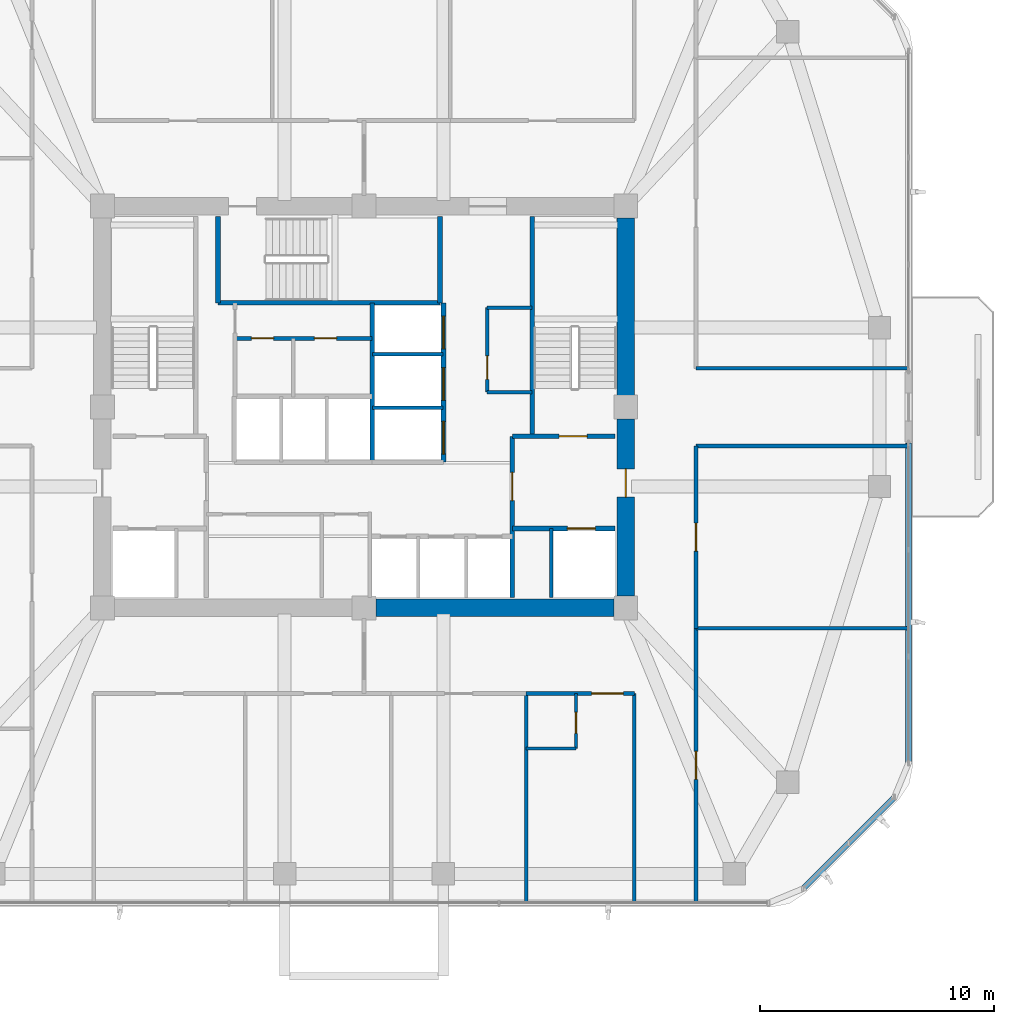
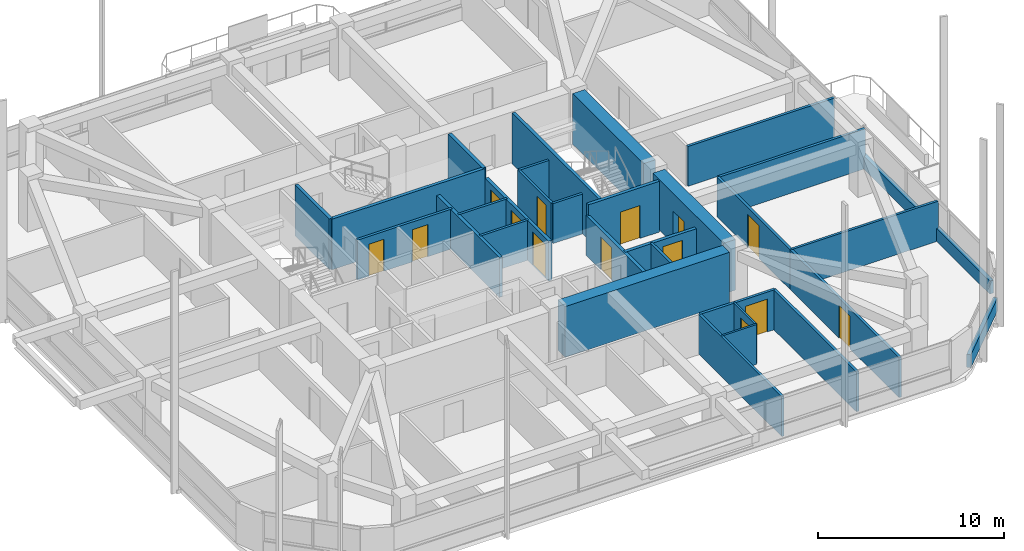
# One storey, part 9 of 14: 31 walls, 14 doors, 14 openings.
"""IFC4 building model written with IfcOpenShell, lengths in metres."""

from ifc_helpers import new_model, si_unit, derived_unit, direction, frame, frame_2d, origin, place, context, subcontext, project, spatial, rectangle, extrude, material, layer, layer_set, type_object, element, fill, save


model = new_model("IFC4")

# Units and contexts
model_context = context("Model", 3, precision=1e-05, world=origin(), true_north=direction((0.0, 1.0)))
body_context = subcontext(model_context, "Body", "Model", "MODEL_VIEW")
ifc_project = project(units=[si_unit("LENGTHUNIT", "METRE"), si_unit("AREAUNIT", "SQUARE_METRE"), si_unit("VOLUMEUNIT", "CUBIC_METRE"), si_unit("PLANEANGLEUNIT", "RADIAN"), si_unit("MASSUNIT", "GRAM", prefix="KILO"), derived_unit("THERMALTRANSMITTANCEUNIT", [(si_unit("POWERUNIT", "WATT"), 1), (si_unit("LENGTHUNIT", "METRE"), -2), (si_unit("THERMODYNAMICTEMPERATUREUNIT", "KELVIN"), -1)])], contexts=[model_context])

# Site, building, storey
site_placement = place(None, origin())
site = spatial("IfcSite", under=ifc_project, at=site_placement, CompositionType="ELEMENT")
building_placement = place(site_placement, origin())
building = spatial("IfcBuilding", under=site, at=building_placement, Name="Koralith Skygarden Medical Center", CompositionType="ELEMENT")
storey_placement = place(building_placement, frame((0.0, 0.0, 160.02001953125)))
storey = spatial("IfcBuildingStorey", under=building, at=storey_placement, Name="L41", CompositionType="ELEMENT", Elevation=160.02001953125)

# Wall, opening, door
ifc_material_1 = material(Name="Gypsum Board Partition")
ifc_layer_1 = layer(ifc_material_1, 0.14990234375)
ifc_layer_set_1 = layer_set([ifc_layer_1], Name="Gypsum Board Partition")
wall_type_1 = type_object("IfcWallType", Name="Clinical Acoustic Partition 150", PredefinedType="PARTITIONING", material=ifc_layer_set_1)
wall_1_placement = place(storey_placement, frame((42.27001953125, 26.5400390625, 0.0), z_axis=(0.0, 0.0, 1.0), x_axis=(0.0, 1.0, 0.0)))
wall_1 = element("IfcWall", 1, at=wall_1_placement, inside=storey, type_object=wall_type_1, Name="L41 Clinical Acoustic Partition 150 W-CORE-L41-ESUB-W", PredefinedType="PARTITIONING", context=body_context, shape_type="SweptSolid", body=[
    extrude(rectangle(XDim=3.619873046875, YDim=0.14990234375, at=frame_2d((1.81005859375, 0.0))), origin(), (0.0, 0.0, 1.0), 2.60986328125),
])
opening_1_placement = place(wall_1_placement, frame((0.550048828125, 0.0, 0.0)))
opening_1 = element("IfcOpeningElement", 2, at=opening_1_placement, cuts=wall_1, Name="Opening D-SUP", PredefinedType="OPENING", context=body_context, shape_type="SweptSolid", body=[
    extrude(rectangle(XDim=1.0, YDim=2.14990234375, at=frame_2d((0.5, 1.074951171875))), frame((0.0, 0.0849609375, 0.0), z_axis=(0.0, -1.0, 0.0), x_axis=(1.0, 0.0, 0.0)), (0.0, 0.0, 1.0), 0.169921875),
])
ifc_material_2 = material(Name="Aluminium 6063-T6", Category="aluminium")
door_type_1 = type_object("IfcDoorType", Name="Clinical Support Door D-SUP 1000", OperationType="NOTDEFINED", PredefinedType="DOOR", material=ifc_material_2)
door_1_placement = place(opening_1_placement, origin())
door_1 = element("IfcDoor", 3, at=door_1_placement, inside=storey, type_object=door_type_1, Name="L41 Core Equipment Store Door", OperationType="SINGLE_SWING_LEFT", OverallHeight=2.14990234375, OverallWidth=1.0, PredefinedType="DOOR", context=body_context, shape_type="SweptSolid", body=[
    extrude(rectangle(XDim=1.0, YDim=2.14990234375, at=frame_2d((0.5, 1.074951171875))), frame((0.0, 0.02490234375, 0.0), z_axis=(0.0, -1.0, 0.0), x_axis=(1.0, 0.0, 0.0)), (0.0, 0.0, 1.0), 0.050048828125),
])
fill(opening_1, door_1)

# Walls
for number, where, z_axis, x_axis, name in (
    (4, (42.27001953125, 26.5400390625, 0.0), (0.0, 0.0, 1.0), (1.0, 0.0, 0.0), "L41 Clinical Acoustic Partition 150 W-CORE-L41-ESUB-S"),
    (5, (42.27001953125, 30.159912109375, 0.0), (0.0, 0.0, 1.0), (1.0, 0.0, 0.0), "L41 Clinical Acoustic Partition 150 W-CORE-L41-ESUB-N"),
):
    element("IfcWall", number, at=place(storey_placement, frame(where, z_axis=z_axis, x_axis=x_axis)), inside=storey, type_object=wall_type_1, Name=name, PredefinedType="PARTITIONING", context=body_context, shape_type="SweptSolid", body=[
        extrude(rectangle(XDim=1.929931640625, YDim=0.14990234375, at=frame_2d((0.96484375, 0.0))), origin(), (0.0, 0.0, 1.0), 2.60986328125),
    ])
wall_2_placement = place(storey_placement, frame((43.93603515625, 13.639892578125, 0.0), z_axis=(0.0, 0.0, 1.0), x_axis=(0.0, -1.0, 0.0)))
element("IfcWall", 6, at=wall_2_placement, inside=storey, type_object=wall_type_1, Name="L41 Clinical Acoustic Partition 150 W-PART-L41-S-03", PredefinedType="PARTITIONING", context=body_context, shape_type="SweptSolid", body=[
    extrude(rectangle(XDim=8.93994140625, YDim=0.14990234375, at=frame_2d((4.469970703125, 0.0))), origin(), (0.0, 0.0, 1.0), 2.60986328125),
])
wall_3_placement = place(storey_placement, frame((51.2099609375, 16.424072265625, 0.0), z_axis=(0.0, 0.0, 1.0), x_axis=(1.0, 0.0, 0.0)))
element("IfcWall", 7, at=wall_3_placement, inside=storey, type_object=wall_type_1, Name="L41 Clinical Acoustic Partition 150 W-PART-L41-ES-01", PredefinedType="PARTITIONING", context=body_context, shape_type="SweptSolid", body=[
    extrude(rectangle(XDim=9.073974609375, YDim=0.14990234375, at=frame_2d((4.537109375, 0.0))), origin(), (0.0, 0.0, 1.0), 2.60986328125),
])
ifc_layer_2 = layer(ifc_material_1, 0.1650390625)
ifc_layer_set_2 = layer_set([ifc_layer_2], Name="Gypsum Board Partition")
wall_type_2 = type_object("IfcWallType", Name="Clinical Corridor Partition 165", PredefinedType="PARTITIONING", material=ifc_layer_set_2)
wall_4_placement = place(storey_placement, frame((48.570068359375, 4.699951171875, 0.0), z_axis=(0.0, 0.0, 1.0), x_axis=(0.0, 1.0, 0.0)))
element("IfcWall", 8, at=wall_4_placement, inside=storey, type_object=wall_type_2, Name="L41 Clinical Corridor Partition 165 W-HCOR-L41-SE", PredefinedType="PARTITIONING", context=body_context, shape_type="SweptSolid", body=[
    extrude(rectangle(XDim=8.93994140625, YDim=0.1650390625, at=frame_2d((4.469970703125, 0.0))), origin(), (0.0, 0.0, 1.0), 2.60986328125),
])
for number, where, z_axis, x_axis, name in (
    (9, (51.2099609375, 24.239990234375, 0.0), (0.0, 0.0, 1.0), (1.0, 0.0, 0.0), "L41 Clinical Corridor Partition 165 W-HCOR-L41-EWS-E"),
    (10, (51.2099609375, 27.56005859375, 0.0), (0.0, 0.0, 1.0), (1.0, 0.0, 0.0), "L41 Clinical Corridor Partition 165 W-HCOR-L41-EWN-E"),
):
    element("IfcWall", number, at=place(storey_placement, frame(where, z_axis=z_axis, x_axis=x_axis)), inside=storey, type_object=wall_type_2, Name=name, PredefinedType="PARTITIONING", context=body_context, shape_type="SweptSolid", body=[
        extrude(rectangle(XDim=9.073974609375, YDim=0.1650390625, at=frame_2d((4.537109375, 0.0))), origin(), (0.0, 0.0, 1.0), 2.60986328125),
    ])

# Wall, opening, door
wall_5_placement = place(storey_placement, frame((43.93603515625, 13.639892578125, 0.0), z_axis=(0.0, 0.0, 1.0), x_axis=(1.0, 0.0, 0.0)))
wall_5 = element("IfcWall", 11, at=wall_5_placement, inside=storey, type_object=wall_type_2, Name="L41 Clinical Corridor Partition 165 W-CORR-L41-S-04", PredefinedType="PARTITIONING", context=body_context, shape_type="SweptSolid", body=[
    extrude(rectangle(XDim=4.634033203125, YDim=0.1650390625, at=frame_2d((2.31689453125, 0.0))), origin(), (0.0, 0.0, 1.0), 2.60986328125),
])
opening_2_placement = place(wall_5_placement, frame((2.81005859375, 0.0, 0.0)))
opening_2 = element("IfcOpeningElement", 12, at=opening_2_placement, cuts=wall_5, Name="Opening D-BED", PredefinedType="OPENING", context=body_context, shape_type="SweptSolid", body=[
    extrude(rectangle(XDim=1.35009765625, YDim=2.14990234375, at=frame_2d((0.675048828125, 1.074951171875))), frame((0.0, 0.092529296875, 0.0), z_axis=(0.0, -1.0, 0.0), x_axis=(1.0, 0.0, 0.0)), (0.0, 0.0, 1.0), 0.18505859375),
])
door_type_2 = type_object("IfcDoorType", Name="Inpatient Bed Leaf Door D-BED 1350", OperationType="NOTDEFINED", PredefinedType="DOOR", material=ifc_material_2)
door_2_placement = place(opening_2_placement, frame((1.35009765625, 0.0, 0.0), z_axis=(0.0, 0.0, 1.0), x_axis=(-1.0, 0.0, 0.0)))
door_2 = element("IfcDoor", 13, at=door_2_placement, inside=storey, type_object=door_type_2, Name="L41 Inpatient Bedroom 07 Door", OperationType="SINGLE_SWING_RIGHT", OverallHeight=2.14990234375, OverallWidth=1.35009765625, PredefinedType="DOOR", context=body_context, shape_type="SweptSolid", body=[
    extrude(rectangle(XDim=1.35009765625, YDim=2.14990234375, at=frame_2d((0.675048828125, 1.074951171875))), frame((0.0, 0.02490234375, 0.0), z_axis=(0.0, -1.0, 0.0), x_axis=(1.0, 0.0, 0.0)), (0.0, 0.0, 1.0), 0.050048828125),
])
fill(opening_2, door_2)

wall_6_placement = place(storey_placement, frame((51.2099609375, 4.699951171875, 0.0), z_axis=(0.0, 0.0, 1.0), x_axis=(0.0, 1.0, 0.0)))
wall_6 = element("IfcWall", 14, at=wall_6_placement, inside=storey, type_object=wall_type_2, Name="L41 Clinical Corridor Partition 165 W-CORR-L41-ES-01", PredefinedType="PARTITIONING", context=body_context, shape_type="SweptSolid", body=[
    extrude(rectangle(XDim=11.72412109375, YDim=0.1650390625, at=frame_2d((5.862060546875, 0.0))), origin(), (0.0, 0.0, 1.0), 2.60986328125),
])
opening_3_placement = place(wall_6_placement, frame((5.261962890625, 0.0, 0.0)))
opening_3 = element("IfcOpeningElement", 15, at=opening_3_placement, cuts=wall_6, Name="Opening D-CLN", PredefinedType="OPENING", context=body_context, shape_type="SweptSolid", body=[
    extrude(rectangle(XDim=1.199951171875, YDim=2.14990234375, at=frame_2d((0.60009765625, 1.074951171875))), frame((0.0, 0.092529296875, 0.0), z_axis=(0.0, -1.0, 0.0), x_axis=(1.0, 0.0, 0.0)), (0.0, 0.0, 1.0), 0.18505859375),
])
door_type_3 = type_object("IfcDoorType", Name="Clinical Corridor Door D-CLN 1200", OperationType="NOTDEFINED", PredefinedType="DOOR", material=ifc_material_2)
door_3_placement = place(opening_3_placement, origin())
door_3 = element("IfcDoor", 16, at=door_3_placement, inside=storey, type_object=door_type_3, Name="L41 Perinatal Ultrasound Exam Room 12 Door", OperationType="SINGLE_SWING_LEFT", OverallHeight=2.14990234375, OverallWidth=1.199951171875, PredefinedType="DOOR", context=body_context, shape_type="SweptSolid", body=[
    extrude(rectangle(XDim=1.199951171875, YDim=2.14990234375, at=frame_2d((0.60009765625, 1.074951171875))), frame((0.0, 0.02490234375, 0.0), z_axis=(0.0, -1.0, 0.0), x_axis=(1.0, 0.0, 0.0)), (0.0, 0.0, 1.0), 0.050048828125),
])
fill(opening_3, door_3)

wall_7_placement = place(storey_placement, frame((51.2099609375, 16.424072265625, 0.0), z_axis=(0.0, 0.0, 1.0), x_axis=(0.0, 1.0, 0.0)))
wall_7 = element("IfcWall", 17, at=wall_7_placement, inside=storey, type_object=wall_type_2, Name="L41 Clinical Corridor Partition 165 W-CORR-L41-ES-02", PredefinedType="PARTITIONING", context=body_context, shape_type="SweptSolid", body=[
    extrude(rectangle(XDim=7.81591796875, YDim=0.1650390625, at=frame_2d((3.907958984375, 0.0))), origin(), (0.0, 0.0, 1.0), 2.60986328125),
])
opening_4_placement = place(wall_7_placement, frame((3.30810546875, 0.0, 0.0)))
opening_4 = element("IfcOpeningElement", 18, at=opening_4_placement, cuts=wall_7, Name="Opening D-CLN", PredefinedType="OPENING", context=body_context, shape_type="SweptSolid", body=[
    extrude(rectangle(XDim=1.199951171875, YDim=2.14990234375, at=frame_2d((0.60009765625, 1.074951171875))), frame((0.0, 0.092529296875, 0.0), z_axis=(0.0, -1.0, 0.0), x_axis=(1.0, 0.0, 0.0)), (0.0, 0.0, 1.0), 0.18505859375),
])
door_4_placement = place(opening_4_placement, origin())
door_4 = element("IfcDoor", 19, at=door_4_placement, inside=storey, type_object=door_type_3, Name="L41 Genetic Counseling Office 13 Door", OperationType="SINGLE_SWING_RIGHT", OverallHeight=2.14990234375, OverallWidth=1.199951171875, PredefinedType="DOOR", context=body_context, shape_type="SweptSolid", body=[
    extrude(rectangle(XDim=1.199951171875, YDim=2.14990234375, at=frame_2d((0.60009765625, 1.074951171875))), frame((0.0, 0.02490234375, 0.0), z_axis=(0.0, -1.0, 0.0), x_axis=(1.0, 0.0, 0.0)), (0.0, 0.0, 1.0), 0.050048828125),
])
fill(opening_4, door_4)

ifc_layer_3 = layer(ifc_material_1, 0.199951171875)
ifc_layer_set_3 = layer_set([ifc_layer_3], Name="Gypsum Board Partition")
wall_type_3 = type_object("IfcWallType", Name="Fire Shaft Wall 200", PredefinedType="SOLIDWALL", material=ifc_layer_set_3)
wall_8_placement = place(storey_placement, frame((43.35009765625, 20.699951171875, 0.0), z_axis=(0.0, 0.0, 1.0), x_axis=(1.0, 0.0, 0.0)))
wall_8 = element("IfcWall", 20, at=wall_8_placement, inside=storey, type_object=wall_type_3, Name="L41 Fire Shaft Wall 200 W-CORE-L41-FF2-N", PredefinedType="SOLIDWALL", context=body_context, shape_type="SweptSolid", body=[
    extrude(rectangle(XDim=4.39990234375, YDim=0.199951171875, at=frame_2d((2.199951171875, 0.0))), origin(), (0.0, 0.0, 1.0), 2.60986328125),
])
opening_5_placement = place(wall_8_placement, frame((2.35009765625, 0.0, 0.0)))
opening_5 = element("IfcOpeningElement", 21, at=opening_5_placement, cuts=wall_8, Name="Opening LD-FF", PredefinedType="OPENING", context=body_context, shape_type="SweptSolid", body=[
    extrude(rectangle(XDim=1.199951171875, YDim=2.14990234375, at=frame_2d((0.60009765625, 1.074951171875))), frame((0.0, 0.10986328125, 0.0), z_axis=(0.0, -1.0, 0.0), x_axis=(1.0, 0.0, 0.0)), (0.0, 0.0, 1.0), 0.219970703125),
])
ifc_material_3 = material(Name="Steel ASTM A500 Grade C", Category="steel")
door_type_4 = type_object("IfcDoorType", Name="Fire Lift Sliding Landing Door LD-FF 1200", OperationType="NOTDEFINED", PredefinedType="DOOR", material=ifc_material_3)
door_5_placement = place(opening_5_placement, origin())
door_5 = element("IfcDoor", 22, at=door_5_placement, inside=storey, type_object=door_type_4, Name="L41 Fire Service Elevator FF2 Landing Door", OperationType="SLIDING_TO_RIGHT", OverallHeight=2.14990234375, OverallWidth=1.199951171875, PredefinedType="DOOR", context=body_context, shape_type="SweptSolid", body=[
    extrude(rectangle(XDim=1.199951171875, YDim=2.14990234375, at=frame_2d((0.60009765625, 1.074951171875))), frame((0.0, 0.02490234375, 0.0), z_axis=(0.0, -1.0, 0.0), x_axis=(1.0, 0.0, 0.0)), (0.0, 0.0, 1.0), 0.050048828125),
])
fill(opening_5, door_5)

wall_9_placement = place(storey_placement, frame((43.35009765625, 17.75, 0.0), z_axis=(0.0, 0.0, 1.0), x_axis=(0.0, 1.0, 0.0)))
wall_9 = element("IfcWall", 23, at=wall_9_placement, inside=storey, type_object=wall_type_3, Name="L41 Fire Shaft Wall 200 W-CORE-L41-FSAEE-W", PredefinedType="SOLIDWALL", context=body_context, shape_type="SweptSolid", body=[
    extrude(rectangle(XDim=6.89990234375, YDim=0.199951171875, at=frame_2d((3.449951171875, 0.0))), origin(), (0.0, 0.0, 1.0), 2.60986328125),
])
opening_6_placement = place(wall_9_placement, frame((4.14990234375, 0.0, 0.0)))
opening_6 = element("IfcOpeningElement", 24, at=opening_6_placement, cuts=wall_9, Name="Opening D-ST60", PredefinedType="OPENING", context=body_context, shape_type="SweptSolid", body=[
    extrude(rectangle(XDim=1.199951171875, YDim=2.14990234375, at=frame_2d((0.60009765625, 1.074951171875))), frame((0.0, 0.10986328125, 0.0), z_axis=(0.0, -1.0, 0.0), x_axis=(1.0, 0.0, 0.0)), (0.0, 0.0, 1.0), 0.219970703125),
])
door_type_5 = type_object("IfcDoorType", Name="Smokeproof Stair Fire Door FD60S 1200", OperationType="NOTDEFINED", PredefinedType="DOOR", material=ifc_material_3)
door_6_placement = place(opening_6_placement, frame((1.199951171875, 0.0, 0.0), z_axis=(0.0, 0.0, 1.0), x_axis=(-1.0, 0.0, 0.0)))
door_6 = element("IfcDoor", 25, at=door_6_placement, inside=storey, type_object=door_type_5, Name="L41 East Firefighting Lobby Inner Fire Door", OperationType="SINGLE_SWING_RIGHT", OverallHeight=2.14990234375, OverallWidth=1.199951171875, PredefinedType="DOOR", context=body_context, shape_type="SweptSolid", body=[
    extrude(rectangle(XDim=1.199951171875, YDim=2.14990234375, at=frame_2d((0.60009765625, 1.074951171875))), frame((0.0, 0.02490234375, 0.0), z_axis=(0.0, -1.0, 0.0), x_axis=(1.0, 0.0, 0.0)), (0.0, 0.0, 1.0), 0.050048828125),
])
fill(opening_6, door_6)

# Wall
wall_10_placement = place(storey_placement, frame((37.35009765625, 23.5400390625, 0.0), z_axis=(0.0, 0.0, 1.0), x_axis=(0.0, 1.0, 0.0)))
element("IfcWall", 26, at=wall_10_placement, inside=storey, type_object=wall_type_3, Name="L41 Fire Shaft Wall 200 W-CORE-L41-SV-W", PredefinedType="SOLIDWALL", context=body_context, shape_type="SweptSolid", body=[
    extrude(rectangle(XDim=6.820068359375, YDim=0.199951171875, at=frame_2d((3.41015625, 0.0))), origin(), (0.0, 0.0, 1.0), 2.60986328125),
])

# Wall, openings, doors
wall_11_placement = place(storey_placement, frame((40.39990234375, 23.5400390625, 0.0), z_axis=(0.0, 0.0, 1.0), x_axis=(0.0, 1.0, 0.0)))
wall_11 = element("IfcWall", 27, at=wall_11_placement, inside=storey, type_object=wall_type_3, Name="L41 Fire Shaft Wall 200 W-CORE-L41-SV-E", PredefinedType="SOLIDWALL", context=body_context, shape_type="SweptSolid", body=[
    extrude(rectangle(XDim=6.820068359375, YDim=0.199951171875, at=frame_2d((3.41015625, 0.0))), origin(), (0.0, 0.0, 1.0), 2.60986328125),
])
opening_7_placement = place(wall_11_placement, frame((0.35009765625, 0.0, 0.0)))
opening_7 = element("IfcOpeningElement", 28, at=opening_7_placement, cuts=wall_11, Name="Opening LD-SV", PredefinedType="OPENING", context=body_context, shape_type="SweptSolid", body=[
    extrude(rectangle(XDim=1.39990234375, YDim=2.199951171875, at=frame_2d((0.699951171875, 1.10009765625))), frame((0.0, 0.10986328125, 0.0), z_axis=(0.0, -1.0, 0.0), x_axis=(1.0, 0.0, 0.0)), (0.0, 0.0, 1.0), 0.219970703125),
])
opening_8_placement = place(wall_11_placement, frame((2.64990234375, 0.0, 0.0)))
opening_8 = element("IfcOpeningElement", 29, at=opening_8_placement, cuts=wall_11, Name="Opening LD-SV", PredefinedType="OPENING", context=body_context, shape_type="SweptSolid", body=[
    extrude(rectangle(XDim=1.39990234375, YDim=2.199951171875, at=frame_2d((0.699951171875, 1.10009765625))), frame((0.0, 0.10986328125, 0.0), z_axis=(0.0, -1.0, 0.0), x_axis=(1.0, 0.0, 0.0)), (0.0, 0.0, 1.0), 0.219970703125),
])
opening_9_placement = place(wall_11_placement, frame((4.85009765625, 0.0, 0.0)))
opening_9 = element("IfcOpeningElement", 30, at=opening_9_placement, cuts=wall_11, Name="Opening LD-SV", PredefinedType="OPENING", context=body_context, shape_type="SweptSolid", body=[
    extrude(rectangle(XDim=1.39990234375, YDim=2.199951171875, at=frame_2d((0.699951171875, 1.10009765625))), frame((0.0, 0.10986328125, 0.0), z_axis=(0.0, -1.0, 0.0), x_axis=(1.0, 0.0, 0.0)), (0.0, 0.0, 1.0), 0.219970703125),
])
door_type_6 = type_object("IfcDoorType", Name="Bed Lift Sliding Landing Door LD-SV 1400", OperationType="NOTDEFINED", PredefinedType="DOOR", material=ifc_material_3)
door_7_placement = place(opening_7_placement, origin())
door_7 = element("IfcDoor", 31, at=door_7_placement, inside=storey, type_object=door_type_6, Name="L41 Bed Elevator BD1 Landing Door", OperationType="SLIDING_TO_LEFT", OverallHeight=2.199951171875, OverallWidth=1.39990234375, PredefinedType="DOOR", context=body_context, shape_type="SweptSolid", body=[
    extrude(rectangle(XDim=1.39990234375, YDim=2.199951171875, at=frame_2d((0.699951171875, 1.10009765625))), frame((0.0, 0.02490234375, 0.0), z_axis=(0.0, -1.0, 0.0), x_axis=(1.0, 0.0, 0.0)), (0.0, 0.0, 1.0), 0.050048828125),
])
fill(opening_7, door_7)
door_8_placement = place(opening_8_placement, origin())
door_8 = element("IfcDoor", 32, at=door_8_placement, inside=storey, type_object=door_type_6, Name="L41 Service Elevator BD2 Landing Door", OperationType="SLIDING_TO_LEFT", OverallHeight=2.199951171875, OverallWidth=1.39990234375, PredefinedType="DOOR", context=body_context, shape_type="SweptSolid", body=[
    extrude(rectangle(XDim=1.39990234375, YDim=2.199951171875, at=frame_2d((0.699951171875, 1.10009765625))), frame((0.0, 0.02490234375, 0.0), z_axis=(0.0, -1.0, 0.0), x_axis=(1.0, 0.0, 0.0)), (0.0, 0.0, 1.0), 0.050048828125),
])
fill(opening_8, door_8)
door_9_placement = place(opening_9_placement, origin())
door_9 = element("IfcDoor", 33, at=door_9_placement, inside=storey, type_object=door_type_6, Name="L41 Trauma Elevator TR1 Landing Door", OperationType="SLIDING_TO_RIGHT", OverallHeight=2.199951171875, OverallWidth=1.39990234375, PredefinedType="DOOR", context=body_context, shape_type="SweptSolid", body=[
    extrude(rectangle(XDim=1.39990234375, YDim=2.199951171875, at=frame_2d((0.699951171875, 1.10009765625))), frame((0.0, 0.02490234375, 0.0), z_axis=(0.0, -1.0, 0.0), x_axis=(1.0, 0.0, 0.0)), (0.0, 0.0, 1.0), 0.050048828125),
])
fill(opening_9, door_9)

# Walls
ifc_material_4 = material(Name="Warm Oolitic Limestone Cladding", Category="masonry")
ifc_layer_4 = layer(ifc_material_4, 0.239990234375)
ifc_layer_set_4 = layer_set([ifc_layer_4], Name="Warm Oolitic Limestone Cladding")
wall_type_4 = type_object("IfcWallType", Name="Limestone Spandrel Sill Backup Wall 240", PredefinedType="SOLIDWALL", material=ifc_layer_set_4)
wall_12_placement = place(storey_placement, frame((55.780029296875, 5.281005859375, 0.0), z_axis=(0.0, 0.0, 1.0), x_axis=(0.707084777957, 0.707128783731, 0.0)))
element("IfcWall", 34, at=wall_12_placement, inside=storey, type_object=wall_type_4, Name="L41 Sill Spandrel SE", PredefinedType="SOLIDWALL", context=body_context, shape_type="SweptSolid", body=[
    extrude(rectangle(XDim=5.5478515625, YDim=0.239990234375, at=frame_2d((2.77392578125, 0.0))), origin(), (0.0, 0.0, 1.0), 0.85009765625),
])
wall_13_placement = place(storey_placement, frame((60.303955078125, 10.655029296875, 0.0), z_axis=(0.0, 0.0, 1.0), x_axis=(0.0, 1.0, 0.0)))
element("IfcWall", 35, at=wall_13_placement, inside=storey, type_object=wall_type_4, Name="L41 Sill Spandrel E-L", PredefinedType="SOLIDWALL", context=body_context, shape_type="SweptSolid", body=[
    extrude(rectangle(XDim=13.705078125, YDim=0.239990234375, at=frame_2d((6.8525390625, 0.0))), origin(), (0.0, 0.0, 1.0), 0.85009765625),
])
ifc_material_5 = material(Name="Concrete C70/85", Category="concrete")
ifc_layer_5 = layer(ifc_material_5, 0.75)
ifc_layer_set_5 = layer_set([ifc_layer_5], Name="Concrete C70/85")
wall_type_5 = type_object("IfcWallType", Name="Mid Core Shear Wall 750", PredefinedType="SHEAR", material=ifc_layer_set_5)
wall_14_placement = place(storey_placement, frame((37.5048828125, 17.300048828125, 0.0), z_axis=(0.0, 0.0, 1.0), x_axis=(1.0, 0.0, 0.0)))
element("IfcWall", 36, at=wall_14_placement, inside=storey, type_object=wall_type_5, Name="L41 Core Shear Wall Segment 2", PredefinedType="SHEAR", context=body_context, shape_type="SweptSolid", body=[
    extrude(rectangle(XDim=10.190185546875, YDim=0.75, at=frame_2d((5.09521484375, 0.0))), origin(), (0.0, 0.0, 1.0), 3.320068359375),
])

# Wall, opening, door
wall_15_placement = place(storey_placement, frame((48.199951171875, 17.804931640625, 0.0), z_axis=(0.0, 0.0, 1.0), x_axis=(0.0, 1.0, 0.0)))
wall_15 = element("IfcWall", 37, at=wall_15_placement, inside=storey, type_object=wall_type_5, Name="L41 Core Shear Wall Segment 3", PredefinedType="SHEAR", context=body_context, shape_type="SweptSolid", body=[
    extrude(rectangle(XDim=7.590087890625, YDim=0.75, at=frame_2d((3.794921875, 0.0))), origin(), (0.0, 0.0, 1.0), 3.320068359375),
])
opening_10_placement = place(wall_15_placement, frame((4.2451171875, 0.0, 0.0)))
opening_10 = element("IfcOpeningElement", 38, at=opening_10_placement, cuts=wall_15, Name="Opening D-ST60", PredefinedType="OPENING", context=body_context, shape_type="SweptSolid", body=[
    extrude(rectangle(XDim=1.199951171875, YDim=2.14990234375, at=frame_2d((0.60009765625, 1.074951171875))), frame((0.0, 0.385009765625, 0.0), z_axis=(0.0, -1.0, 0.0), x_axis=(1.0, 0.0, 0.0)), (0.0, 0.0, 1.0), 0.77001953125),
])
door_10_placement = place(opening_10_placement, frame((1.199951171875, 0.0, 0.0), z_axis=(0.0, 0.0, 1.0), x_axis=(-1.0, 0.0, 0.0)))
door_10 = element("IfcDoor", 39, at=door_10_placement, inside=storey, type_object=door_type_5, Name="L41 East Corridor to Firefighting Lobby Door", OperationType="SINGLE_SWING_RIGHT", OverallHeight=2.14990234375, OverallWidth=1.199951171875, PredefinedType="DOOR", context=body_context, shape_type="SweptSolid", body=[
    extrude(rectangle(XDim=1.199951171875, YDim=2.14990234375, at=frame_2d((0.60009765625, 1.074951171875))), frame((0.0, 0.02490234375, 0.0), z_axis=(0.0, -1.0, 0.0), x_axis=(1.0, 0.0, 0.0)), (0.0, 0.0, 1.0), 0.050048828125),
])
fill(opening_10, door_10)

# Wall
wall_16_placement = place(storey_placement, frame((48.199951171875, 26.405029296875, 0.0), z_axis=(0.0, 0.0, 1.0), x_axis=(0.0, 1.0, 0.0)))
element("IfcWall", 40, at=wall_16_placement, inside=storey, type_object=wall_type_5, Name="L41 Core Shear Wall Segment 4", PredefinedType="SHEAR", context=body_context, shape_type="SweptSolid", body=[
    extrude(rectangle(XDim=7.590087890625, YDim=0.75, at=frame_2d((3.794921875, 0.0))), origin(), (0.0, 0.0, 1.0), 3.320068359375),
])

# Wall, opening, door
ifc_layer_6 = layer(ifc_material_1, 0.1201171875)
ifc_layer_set_6 = layer_set([ifc_layer_6], Name="Gypsum Board Partition")
wall_type_6 = type_object("IfcWallType", Name="Plumbing Wet Wall 120", PredefinedType="PLUMBINGWALL", material=ifc_layer_set_6)
wall_17_placement = place(storey_placement, frame((46.075927734375, 11.280029296875, 0.0), z_axis=(0.0, 0.0, 1.0), x_axis=(0.0, 1.0, 0.0)))
wall_17 = element("IfcWall", 41, at=wall_17_placement, inside=storey, type_object=wall_type_6, Name="L41 Plumbing Wet Wall 120 W-ENS-L41-07A", PredefinedType="PLUMBINGWALL", context=body_context, shape_type="SweptSolid", body=[
    extrude(rectangle(XDim=2.35986328125, YDim=0.1201171875, at=frame_2d((1.179931640625, 0.0))), origin(), (0.0, 0.0, 1.0), 2.60986328125),
])
opening_11_placement = place(wall_17_placement, frame((0.64990234375, 0.0, 0.0)))
opening_11 = element("IfcOpeningElement", 42, at=opening_11_placement, cuts=wall_17, Name="Opening D-ENS", PredefinedType="OPENING", context=body_context, shape_type="SweptSolid", body=[
    extrude(rectangle(XDim=0.89990234375, YDim=2.10009765625, at=frame_2d((0.449951171875, 1.050048828125))), frame((0.0, 0.070068359375, 0.0), z_axis=(0.0, -1.0, 0.0), x_axis=(1.0, 0.0, 0.0)), (0.0, 0.0, 1.0), 0.14013671875),
])
door_type_7 = type_object("IfcDoorType", Name="En-Suite Bathroom Door D-ENS 900", OperationType="NOTDEFINED", PredefinedType="DOOR", material=ifc_material_2)
door_11_placement = place(opening_11_placement, frame((0.89990234375, 0.0, 0.0), z_axis=(0.0, 0.0, 1.0), x_axis=(-1.0, 0.0, 0.0)))
door_11 = element("IfcDoor", 43, at=door_11_placement, inside=storey, type_object=door_type_7, Name="L41 En-Suite 07 Door", OperationType="SINGLE_SWING_RIGHT", OverallHeight=2.10009765625, OverallWidth=0.89990234375, PredefinedType="DOOR", context=body_context, shape_type="SweptSolid", body=[
    extrude(rectangle(XDim=0.89990234375, YDim=2.10009765625, at=frame_2d((0.449951171875, 1.050048828125))), frame((0.0, 0.02490234375, 0.0), z_axis=(0.0, -1.0, 0.0), x_axis=(1.0, 0.0, 0.0)), (0.0, 0.0, 1.0), 0.050048828125),
])
fill(opening_11, door_11)

# Wall
wall_18_placement = place(storey_placement, frame((43.93603515625, 11.280029296875, 0.0), z_axis=(0.0, 0.0, 1.0), x_axis=(1.0, 0.0, 0.0)))
element("IfcWall", 44, at=wall_18_placement, inside=storey, type_object=wall_type_6, Name="L41 Plumbing Wet Wall 120 W-ENS-L41-07B", PredefinedType="PLUMBINGWALL", context=body_context, shape_type="SweptSolid", body=[
    extrude(rectangle(XDim=2.139892578125, YDim=0.1201171875, at=frame_2d((1.06982421875, 0.0))), origin(), (0.0, 0.0, 1.0), 2.60986328125),
])

# Wall, openings, doors
ifc_layer_7 = layer(ifc_material_1, 0.1650390625)
ifc_layer_set_7 = layer_set([ifc_layer_7], Name="Gypsum Board Partition")
wall_type_7 = type_object("IfcWallType", Name="Plumbing Wet Wall 165", PredefinedType="PLUMBINGWALL", material=ifc_layer_set_7)
wall_19_placement = place(storey_placement, frame((31.47998046875, 28.840087890625, 0.0), z_axis=(0.0, 0.0, 1.0), x_axis=(1.0, 0.0, 0.0)))
wall_19 = element("IfcWall", 45, at=wall_19_placement, inside=storey, type_object=wall_type_7, Name="L41 Plumbing Wet Wall 165 W-CORE-L41-FLEX-H3", PredefinedType="PLUMBINGWALL", context=body_context, shape_type="SweptSolid", body=[
    extrude(rectangle(XDim=5.8701171875, YDim=0.1650390625, at=frame_2d((2.93505859375, 0.0))), origin(), (0.0, 0.0, 1.0), 2.60986328125),
])
opening_12_placement = place(wall_19_placement, frame((0.699951171875, 0.0, 0.0)))
opening_12 = element("IfcOpeningElement", 46, at=opening_12_placement, cuts=wall_19, Name="Opening D-WC", PredefinedType="OPENING", context=body_context, shape_type="SweptSolid", body=[
    extrude(rectangle(XDim=0.949951171875, YDim=2.10009765625, at=frame_2d((0.47509765625, 1.050048828125))), frame((0.0, 0.092529296875, 0.0), z_axis=(0.0, -1.0, 0.0), x_axis=(1.0, 0.0, 0.0)), (0.0, 0.0, 1.0), 0.18505859375),
])
opening_13_placement = place(wall_19_placement, frame((3.39990234375, 0.0, 0.0)))
opening_13 = element("IfcOpeningElement", 47, at=opening_13_placement, cuts=wall_19, Name="Opening D-WC", PredefinedType="OPENING", context=body_context, shape_type="SweptSolid", body=[
    extrude(rectangle(XDim=0.949951171875, YDim=2.10009765625, at=frame_2d((0.47509765625, 1.050048828125))), frame((0.0, 0.092529296875, 0.0), z_axis=(0.0, -1.0, 0.0), x_axis=(1.0, 0.0, 0.0)), (0.0, 0.0, 1.0), 0.18505859375),
])
door_type_8 = type_object("IfcDoorType", Name="Accessible Toilet Door D-WC 950", OperationType="NOTDEFINED", PredefinedType="DOOR", material=ifc_material_2)
door_12_placement = place(opening_12_placement, frame((0.949951171875, 0.0, 0.0), z_axis=(0.0, 0.0, 1.0), x_axis=(-1.0, 0.0, 0.0)))
door_12 = element("IfcDoor", 48, at=door_12_placement, inside=storey, type_object=door_type_8, Name="L41 Core Accessible WC Door", OperationType="SINGLE_SWING_LEFT", OverallHeight=2.10009765625, OverallWidth=0.949951171875, PredefinedType="DOOR", context=body_context, shape_type="SweptSolid", body=[
    extrude(rectangle(XDim=0.949951171875, YDim=2.10009765625, at=frame_2d((0.47509765625, 1.050048828125))), frame((0.0, 0.02490234375, 0.0), z_axis=(0.0, -1.0, 0.0), x_axis=(1.0, 0.0, 0.0)), (0.0, 0.0, 1.0), 0.050048828125),
])
fill(opening_12, door_12)
door_13_placement = place(opening_13_placement, frame((0.949951171875, 0.0, 0.0), z_axis=(0.0, 0.0, 1.0), x_axis=(-1.0, 0.0, 0.0)))
door_13 = element("IfcDoor", 49, at=door_13_placement, inside=storey, type_object=door_type_8, Name="L41 Housekeeping Store Door", OperationType="SINGLE_SWING_RIGHT", OverallHeight=2.10009765625, OverallWidth=0.949951171875, PredefinedType="DOOR", context=body_context, shape_type="SweptSolid", body=[
    extrude(rectangle(XDim=0.949951171875, YDim=2.10009765625, at=frame_2d((0.47509765625, 1.050048828125))), frame((0.0, 0.02490234375, 0.0), z_axis=(0.0, -1.0, 0.0), x_axis=(1.0, 0.0, 0.0)), (0.0, 0.0, 1.0), 0.050048828125),
])
fill(opening_13, door_13)

# Walls
ifc_layer_8 = layer(ifc_material_1, 0.14990234375)
ifc_layer_set_8 = layer_set([ifc_layer_8], Name="Gypsum Board Partition")
wall_type_8 = type_object("IfcWallType", Name="Shaft Partition Wall 150", PredefinedType="PARTITIONING", material=ifc_layer_set_8)
wall_20_placement = place(storey_placement, frame((45.02001953125, 17.75, 0.0), z_axis=(0.0, 0.0, 1.0), x_axis=(0.0, 1.0, 0.0)))
element("IfcWall", 50, at=wall_20_placement, inside=storey, type_object=wall_type_8, Name="L41 Shaft Partition Wall 150 W-CORE-L41-RSRE-DIV", PredefinedType="PARTITIONING", context=body_context, shape_type="SweptSolid", body=[
    extrude(rectangle(XDim=2.949951171875, YDim=0.14990234375, at=frame_2d((1.47509765625, 0.0))), origin(), (0.0, 0.0, 1.0), 2.60986328125),
])
for number, where, z_axis, x_axis, name in (
    (51, (37.3701171875, 25.8701171875, 0.0), (0.0, 0.0, 1.0), (1.0, 0.0, 0.0), "L41 Shaft Partition Wall 150 W-CORE-L41-SV-D1"),
    (52, (37.3701171875, 28.169921875, 0.0), (0.0, 0.0, 1.0), (1.0, 0.0, 0.0), "L41 Shaft Partition Wall 150 W-CORE-L41-SV-D2"),
):
    element("IfcWall", number, at=place(storey_placement, frame(where, z_axis=z_axis, x_axis=x_axis)), inside=storey, type_object=wall_type_8, Name=name, PredefinedType="PARTITIONING", context=body_context, shape_type="SweptSolid", body=[
        extrude(rectangle(XDim=3.009765625, YDim=0.14990234375, at=frame_2d((1.5048828125, 0.0))), origin(), (0.0, 0.0, 1.0), 2.60986328125),
    ])
ifc_material_6 = material(Name="Concrete C45/55", Category="concrete")
ifc_layer_9 = layer(ifc_material_6, 0.199951171875)
ifc_layer_set_9 = layer_set([ifc_layer_9], Name="Concrete C45/55")
wall_type_9 = type_object("IfcWallType", Name="Structural Stair Shaft Wall 200", PredefinedType="SHEAR", material=ifc_layer_set_9)
wall_21_placement = place(storey_placement, frame((44.199951171875, 24.64990234375, 0.0), z_axis=(0.0, 0.0, 1.0), x_axis=(0.0, 1.0, 0.0)))
element("IfcWall", 53, at=wall_21_placement, inside=storey, type_object=wall_type_9, Name="L41 Structural Stair Shaft Wall 200 W-CORE-L41-ST2-W", PredefinedType="SHEAR", context=body_context, shape_type="SweptSolid", body=[
    extrude(rectangle(XDim=9.400146484375, YDim=0.199951171875, at=frame_2d((4.7001953125, 0.0))), origin(), (0.0, 0.0, 1.0), 3.320068359375),
])

# Wall, opening, door
wall_22_placement = place(storey_placement, frame((43.35009765625, 24.64990234375, 0.0), z_axis=(0.0, 0.0, 1.0), x_axis=(1.0, 0.0, 0.0)))
wall_22 = element("IfcWall", 54, at=wall_22_placement, inside=storey, type_object=wall_type_9, Name="L41 Structural Stair Shaft Wall 200 W-CORE-L41-ST2-S", PredefinedType="SHEAR", context=body_context, shape_type="SweptSolid", body=[
    extrude(rectangle(XDim=4.39990234375, YDim=0.199951171875, at=frame_2d((2.199951171875, 0.0))), origin(), (0.0, 0.0, 1.0), 3.320068359375),
])
opening_14_placement = place(wall_22_placement, frame((2.0, 0.0, 0.0)))
opening_14 = element("IfcOpeningElement", 55, at=opening_14_placement, cuts=wall_22, Name="Opening D-ST60", PredefinedType="OPENING", context=body_context, shape_type="SweptSolid", body=[
    extrude(rectangle(XDim=1.199951171875, YDim=2.14990234375, at=frame_2d((0.60009765625, 1.074951171875))), frame((0.0, 0.10986328125, 0.0), z_axis=(0.0, -1.0, 0.0), x_axis=(1.0, 0.0, 0.0)), (0.0, 0.0, 1.0), 0.219970703125),
])
door_14_placement = place(opening_14_placement, origin())
door_14 = element("IfcDoor", 56, at=door_14_placement, inside=storey, type_object=door_type_5, Name="L41 Exit Stair ST2 Fire Door", OperationType="SINGLE_SWING_RIGHT", OverallHeight=2.14990234375, OverallWidth=1.199951171875, PredefinedType="DOOR", context=body_context, shape_type="SweptSolid", body=[
    extrude(rectangle(XDim=1.199951171875, YDim=2.14990234375, at=frame_2d((0.60009765625, 1.074951171875))), frame((0.0, 0.02490234375, 0.0), z_axis=(0.0, -1.0, 0.0), x_axis=(1.0, 0.0, 0.0)), (0.0, 0.0, 1.0), 0.050048828125),
])
fill(opening_14, door_14)

# Walls
wall_23_placement = place(storey_placement, frame((30.75, 30.360107421875, 0.0), z_axis=(0.0, 0.0, 1.0), x_axis=(1.0, 0.0, 0.0)))
element("IfcWall", 57, at=wall_23_placement, inside=storey, type_object=wall_type_9, Name="L41 Structural Stair Shaft Wall 200 W-CORE-L41-ST3-S", PredefinedType="SHEAR", context=body_context, shape_type="SweptSolid", body=[
    extrude(rectangle(XDim=9.5, YDim=0.199951171875, at=frame_2d((4.75, 0.0))), origin(), (0.0, 0.0, 1.0), 3.320068359375),
])
for number, where, z_axis, x_axis, name in (
    (58, (30.75, 30.360107421875, 0.0), (0.0, 0.0, 1.0), (0.0, 1.0, 0.0), "L41 Structural Stair Shaft Wall 200 W-CORE-L41-ST3-W"),
    (59, (40.25, 30.360107421875, 0.0), (0.0, 0.0, 1.0), (0.0, 1.0, 0.0), "L41 Structural Stair Shaft Wall 200 W-CORE-L41-ST3-E"),
):
    element("IfcWall", number, at=place(storey_placement, frame(where, z_axis=z_axis, x_axis=x_axis)), inside=storey, type_object=wall_type_9, Name=name, PredefinedType="SHEAR", context=body_context, shape_type="SweptSolid", body=[
        extrude(rectangle(XDim=3.68994140625, YDim=0.199951171875, at=frame_2d((1.844970703125, 0.0))), origin(), (0.0, 0.0, 1.0), 3.320068359375),
    ])

save(model, "model.ifc")
